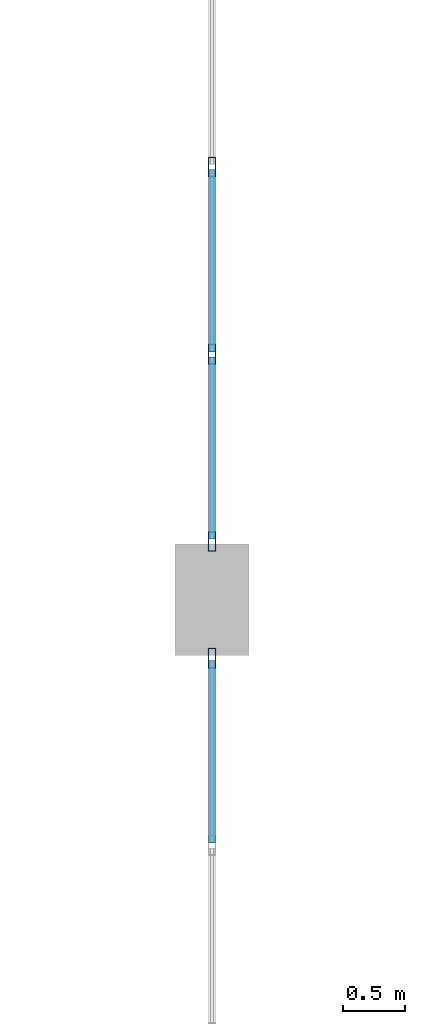
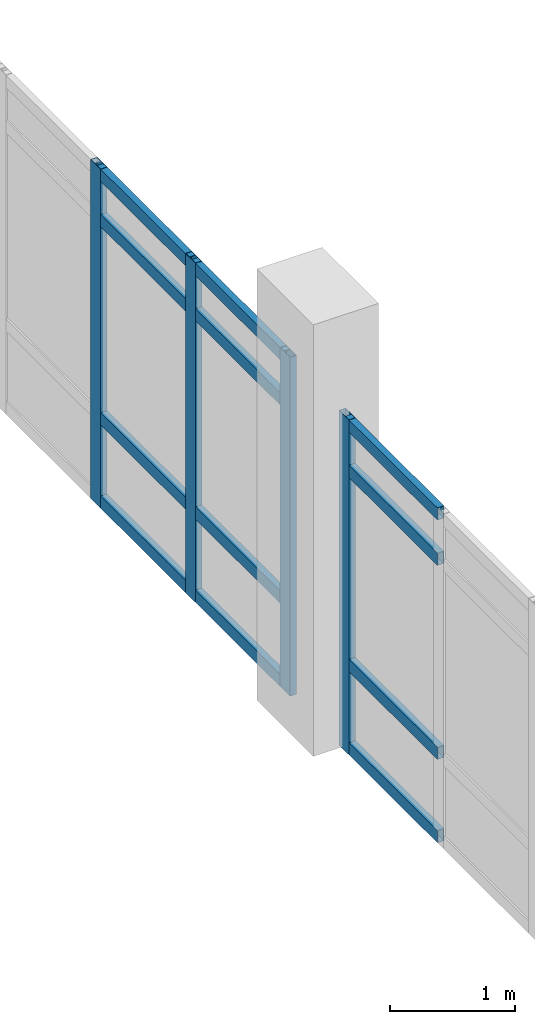
# One storey, part 21 of 111: 16 members, 2 elements without a shape of their own.
"""IFC4 building model written with IfcOpenShell, lengths in metres."""

import ifcopenshell
import ifcopenshell.guid

model = None  # the IFC model being written
_history = None  # IfcOwnerHistory: only IFC2X3 demands one
_inside = {}  # id of a spatial element -> (the spatial element, [elements in it])
_under = {}  # id of a project, library or spatial element -> (it, [spatial elements below it])
_declared = {}  # id of a project -> (the project, [libraries it declares])
_typed = {}  # id of a type object -> (the type object, [elements of that type])
_made_of = {}  # id of a material, layer set ... -> (it, [elements and type objects made of it])


def new_model(schema):
    """Start an empty IFC model of exactly this schema.

    Asked for "IFC4X3", IfcOpenShell would pick the latest addendum, in which some entities
    have other attributes; the version numbers below select the first issue.
    IFC2X3 requires an IfcOwnerHistory on every rooted entity: one is made here for all.
    """
    global model, _history
    if schema == "IFC4X3":
        model = ifcopenshell.file(schema_version=(4, 3, 0, 0))
    else:
        model = ifcopenshell.file(schema=schema)
    _inside.clear()
    _under.clear()
    _declared.clear()
    _typed.clear()
    _made_of.clear()
    _history = None
    if model.schema == "IFC2X3":
        org = make("IfcOrganization", Name="unknown")
        user = make(
            "IfcPersonAndOrganization",
            ThePerson=make("IfcPerson", FamilyName="unknown"),
            TheOrganization=org,
        )
        app = make(
            "IfcApplication",
            ApplicationDeveloper=org,
            Version="unknown",
            ApplicationFullName="unknown",
            ApplicationIdentifier="unknown",
        )
        _history = make(
            "IfcOwnerHistory",
            OwningUser=user,
            OwningApplication=app,
            ChangeAction="ADDED",
            CreationDate=0,
        )
    return model


def make(cls, **values):
    """One entity of the class cls with the attributes given. An attribute that is None is left unset."""
    return model.create_entity(
        cls, **{name: value for name, value in values.items() if value is not None}
    )


def rooted(cls, **values):
    """An entity with a GlobalId (a new one), such as an element, a storey or a relation."""
    return make(cls, GlobalId=ifcopenshell.guid.new(), OwnerHistory=_history, **values)


def si_unit(unit_type, name, prefix=None):
    """IfcSIUnit, for example si_unit("LENGTHUNIT", "METRE", prefix="MILLI")."""
    return make("IfcSIUnit", UnitType=unit_type, Prefix=prefix, Name=name)


def assignment(units):
    """IfcUnitAssignment: the units of a project."""
    return None if units is None else make("IfcUnitAssignment", Units=units)


def point(xyz):
    """IfcCartesianPoint."""
    return None if xyz is None else make("IfcCartesianPoint", Coordinates=xyz)


def direction(xyz):
    """IfcDirection."""
    return None if xyz is None else make("IfcDirection", DirectionRatios=xyz)


def frame(location, z_axis=None, x_axis=None):
    """IfcAxis2Placement3D, a coordinate frame: its origin and axes. An axis left out is left unset."""
    return make(
        "IfcAxis2Placement3D",
        Location=point(location),
        Axis=direction(z_axis),
        RefDirection=direction(x_axis),
    )


def frame_2d(location, x_axis=None):
    """IfcAxis2Placement2D, a coordinate frame in the plane: its origin and x axis."""
    return make(
        "IfcAxis2Placement2D", Location=point(location), RefDirection=direction(x_axis)
    )


def origin():
    """The frame at (0, 0, 0) with its axes left unset."""
    return frame((0.0, 0.0, 0.0))


def origin_2d():
    """The frame at (0, 0) in the plane with its x axis left unset."""
    return frame_2d((0.0, 0.0))


def place(relative_to, where):
    """IfcLocalPlacement: puts the frame where relative to a parent placement (None: the world)."""
    return make(
        "IfcLocalPlacement", PlacementRelTo=relative_to, RelativePlacement=where
    )


def context(
    kind, dimensions, precision=None, world=None, true_north=None, identifier=None
):
    """IfcGeometricRepresentationContext, for example the 3D "Model" context."""
    return make(
        "IfcGeometricRepresentationContext",
        ContextIdentifier=identifier,
        ContextType=kind,
        CoordinateSpaceDimension=dimensions,
        Precision=precision,
        WorldCoordinateSystem=world,
        TrueNorth=true_north,
    )


def subcontext(parent, identifier, kind, view, scale=None):
    """IfcGeometricRepresentationSubContext, for example "Body" below "Model"."""
    return make(
        "IfcGeometricRepresentationSubContext",
        ContextIdentifier=identifier,
        ContextType=kind,
        ParentContext=parent,
        TargetScale=scale,
        TargetView=view,
    )


def project(units=None, contexts=None):
    """IfcProject with its units and contexts."""
    return rooted(
        "IfcProject",
        Name="project",
        RepresentationContexts=contexts,
        UnitsInContext=assignment(units),
    )


def spatial(cls, under=None, at=None, **own):
    """A site, building, storey or space (cls), placed at a placement, below another one or the project."""
    s = rooted(cls, ObjectPlacement=at, **own)
    if under is not None:
        _under.setdefault(under.id(), (under, []))[1].append(s)
    return s


def profile(cls, at=None, kind="AREA", **sizes):
    """A parametric profile (cls). Its sizes go by their IFC names, for example OverallWidth=200.0."""
    return make(cls, ProfileType=kind, Position=at, **sizes)


def hollow_rectangle(**sizes):
    """IfcRectangleHollowProfileDef."""
    return profile("IfcRectangleHollowProfileDef", **sizes)


def extrude(swept, where, along, depth):
    """IfcExtrudedAreaSolid: the profile swept, set in the frame where, extruded along a direction by depth."""
    return make(
        "IfcExtrudedAreaSolid",
        SweptArea=swept,
        Position=where,
        ExtrudedDirection=direction(along),
        Depth=depth,
    )


def shape(context_of_items, identifier, shape_type, items):
    """IfcShapeRepresentation: the items that make up one representation, for example the "Body"."""
    return make(
        "IfcShapeRepresentation",
        ContextOfItems=context_of_items,
        RepresentationIdentifier=identifier,
        RepresentationType=shape_type,
        Items=items,
    )


def material(Name=None, Category=None):
    """IfcMaterial."""
    return make("IfcMaterial", Name=Name, Category=Category)


def layer(
    of_material, thickness, ventilated=None, Name=None, Category=None, Priority=None
):
    """IfcMaterialLayer: one layer of a wall or slab, of a material (None: an air gap)."""
    return make(
        "IfcMaterialLayer",
        Material=of_material,
        LayerThickness=thickness,
        IsVentilated=ventilated,
        Name=Name,
        Category=Category,
        Priority=Priority,
    )


def layer_set(layers, Name=None):
    """IfcMaterialLayerSet."""
    return make("IfcMaterialLayerSet", MaterialLayers=layers, LayerSetName=Name)


def material_profile(
    of_material, cross_section, Name=None, Category=None, Priority=None
):
    """IfcMaterialProfile: a cross section and its material."""
    return make(
        "IfcMaterialProfile",
        Name=Name,
        Material=of_material,
        Profile=cross_section,
        Priority=Priority,
        Category=Category,
    )


def profile_set(profiles, Name=None, composite=None):
    """IfcMaterialProfileSet."""
    return make(
        "IfcMaterialProfileSet",
        Name=Name,
        MaterialProfiles=profiles,
        CompositeProfile=composite,
    )


def made_of(thing, what):
    """Note that an element or type object is made of a material, layer set ...; save() writes the relation."""
    if what is not None:
        _made_of.setdefault(what.id(), (what, []))[1].append(thing)
    return thing


def type_object(cls, material=None, **own):
    """A type object (cls), such as IfcWallType, which elements share."""
    return made_of(rooted(cls, **own), material)


def element(
    cls,
    number,
    at=None,
    inside=None,
    cuts=None,
    type_object=None,
    material=None,
    context=None,
    identifier="Body",
    shape_type=None,
    held_by="IfcProductDefinitionShape",
    body=None,
    shapes=None,
    **own,
):
    """One element of the class cls, such as IfcWall. Its Tag is "e" and its number.

    at: its placement. inside: the storey or other place that contains it. cuts: it is an
    opening in that element (IfcRelVoidsElement). A single representation is given by context,
    identifier, shape_type and body (its items); several are given by shapes. held_by: the class
    of the entity that holds the representations. save() writes the other relations.
    """
    e = rooted(cls, Tag="e%d" % number, ObjectPlacement=at, **own)
    if body is not None:
        shapes = [shape(context, identifier, shape_type, body)]
    if shapes is not None:
        e.Representation = make(held_by, Representations=shapes)
    if inside is not None:
        _inside.setdefault(inside.id(), (inside, []))[1].append(e)
    if cuts is not None:
        rooted(
            "IfcRelVoidsElement", RelatingBuildingElement=cuts, RelatedOpeningElement=e
        )
    if type_object is not None:
        _typed.setdefault(type_object.id(), (type_object, []))[1].append(e)
    return made_of(e, material)


def aggregate(whole, parts):
    """IfcRelAggregates: a whole, such as a stair, and the parts it consists of."""
    return rooted("IfcRelAggregates", RelatingObject=whole, RelatedObjects=parts)


def save(model, path):
    """Write the relations noted so far, then the file.

    IfcRelAggregates (storeys below a building ...), IfcRelContainedInSpatialStructure (elements
    in a storey), IfcRelDefinesByType, IfcRelAssociatesMaterial and IfcRelDeclares: one each for
    every whole, place, type object, material and project.
    """
    for whole, parts in _under.values():
        aggregate(whole, parts)
    for where, things in _inside.values():
        rooted(
            "IfcRelContainedInSpatialStructure",
            RelatedElements=things,
            RelatingStructure=where,
        )
    for kind, things in _typed.values():
        rooted("IfcRelDefinesByType", RelatedObjects=things, RelatingType=kind)
    for what, things in _made_of.values():
        rooted("IfcRelAssociatesMaterial", RelatedObjects=things, RelatingMaterial=what)
    for by, libraries in _declared.values():
        rooted("IfcRelDeclares", RelatingContext=by, RelatedDefinitions=libraries)
    model.write(path)


model = new_model("IFC4")

# Units and contexts
model_context = context("Model", 3, precision=1e-05, world=origin(), true_north=direction((0.0, 1.0)))
body_context = subcontext(model_context, "Body", "Model", "MODEL_VIEW")
ifc_project = project(units=[si_unit("LENGTHUNIT", "METRE"), si_unit("AREAUNIT", "SQUARE_METRE"), si_unit("VOLUMEUNIT", "CUBIC_METRE"), si_unit("PLANEANGLEUNIT", "RADIAN"), si_unit("MASSUNIT", "GRAM", prefix="KILO")], contexts=[model_context])

# Site, building, storey
site_placement = place(None, origin())
site = spatial("IfcSite", under=ifc_project, at=site_placement, CompositionType="ELEMENT")
building_placement = place(site_placement, origin())
building = spatial("IfcBuilding", under=site, at=building_placement, Name="Mersad Railyard Sports Hall", CompositionType="ELEMENT")
storey_placement = place(building_placement, frame((0.0, 0.0, 9.0)))
storey = spatial("IfcBuildingStorey", under=building, at=storey_placement, Name="L02", CompositionType="ELEMENT", Elevation=9.0)

# Curtain wall, member
ifc_material = material(Name="Aluminium 6063-T6", Category="aluminium")
ifc_layer_1 = layer(ifc_material, 0.159912109375)
ifc_layer_set_1 = layer_set([ifc_layer_1], Name="Aluminium 6063-T6")
curtain_wall_type_1 = type_object("IfcCurtainWallType", Name="ARC-CW-CW16", PredefinedType="USERDEFINED", material=ifc_layer_set_1)
curtain_wall_1_placement = place(storey_placement, origin())
curtain_wall_1 = element("IfcCurtainWall", 1, at=curtain_wall_1_placement, inside=storey, type_object=curtain_wall_type_1, Name="Curtain wall CW16-0075", ObjectType="CURTAIN WALL", PredefinedType="USERDEFINED")
ifc_material_profile_1 = material_profile(ifc_material, hollow_rectangle(XDim=0.06005859375, YDim=0.159912109375, WallThickness=0.00390625, at=origin_2d()), Name="AL MULLION 60x160x4")
ifc_profile_set_1 = profile_set([ifc_material_profile_1], Name="Aluminium 6063-T6")
member_type_1 = type_object("IfcMemberType", Name="ARC-CW-MUL01", PredefinedType="MULLION", material=ifc_profile_set_1)
member_1_placement = place(storey_placement, frame((131.0, 63.030029296875, -0.02001953125), z_axis=(0.0, 0.0, 1.0), x_axis=(1.0, 0.0, 0.0)))
member_1 = element("IfcMember", 2, at=member_1_placement, type_object=member_type_1, Name="CW16 Mullion 7", PredefinedType="MULLION", context=body_context, shape_type="SweptSolid", body=[
    extrude(hollow_rectangle(XDim=0.06005859375, YDim=0.159912109375, WallThickness=0.00390625, at=origin_2d()), origin(), (0.0, 0.0, 1.0), 3.260009765625),
])

# Curtain wall, members
ifc_layer_2 = layer(ifc_material, 0.159912109375)
ifc_layer_set_2 = layer_set([ifc_layer_2], Name="Aluminium 6063-T6")
curtain_wall_type_2 = type_object("IfcCurtainWallType", Name="ARC-CW-CW17", PredefinedType="USERDEFINED", material=ifc_layer_set_2)
curtain_wall_2_placement = place(storey_placement, origin())
curtain_wall_2 = element("IfcCurtainWall", 3, at=curtain_wall_2_placement, inside=storey, type_object=curtain_wall_type_2, Name="Curtain wall CW17-0077", ObjectType="CURTAIN WALL", PredefinedType="USERDEFINED")
member_2_placement = place(storey_placement, frame((131.0, 63.969970703125, -0.02001953125), z_axis=(0.0, 0.0, 1.0), x_axis=(1.0, 0.0, 0.0)))
member_2 = element("IfcMember", 4, at=member_2_placement, type_object=member_type_1, Name="CW17 Mullion 1", PredefinedType="MULLION", context=body_context, shape_type="SweptSolid", body=[
    extrude(hollow_rectangle(XDim=0.06005859375, YDim=0.159912109375, WallThickness=0.00390625, at=origin_2d()), origin(), (0.0, 0.0, 1.0), 3.300048828125),
])
member_3_placement = place(storey_placement, frame((131.0, 65.47998046875, -0.02001953125), z_axis=(0.0, 0.0, 1.0), x_axis=(1.0, 0.0, 0.0)))
member_3 = element("IfcMember", 5, at=member_3_placement, type_object=member_type_1, Name="CW17 Mullion 2", PredefinedType="MULLION", context=body_context, shape_type="SweptSolid", body=[
    extrude(hollow_rectangle(XDim=0.06005859375, YDim=0.159912109375, WallThickness=0.00390625, at=origin_2d()), origin(), (0.0, 0.0, 1.0), 3.300048828125),
])
member_4_placement = place(storey_placement, frame((131.0, 66.989990234375, -0.02001953125), z_axis=(0.0, 0.0, 1.0), x_axis=(1.0, 0.0, 0.0)))
member_4 = element("IfcMember", 6, at=member_4_placement, type_object=member_type_1, Name="CW17 Mullion 3", PredefinedType="MULLION", context=body_context, shape_type="SweptSolid", body=[
    extrude(hollow_rectangle(XDim=0.06005859375, YDim=0.159912109375, WallThickness=0.00390625, at=origin_2d()), origin(), (0.0, 0.0, 1.0), 3.300048828125),
])

# Member
ifc_material_profile_2 = material_profile(ifc_material, hollow_rectangle(XDim=0.06005859375, YDim=0.1201171875, WallThickness=0.00390625, at=origin_2d()), Name="AL TRANSOM 60x120x4")
ifc_profile_set_2 = profile_set([ifc_material_profile_2], Name="Aluminium 6063-T6")
member_type_2 = type_object("IfcMemberType", Name="ARC-CW-TRN01", PredefinedType="USERDEFINED", material=ifc_profile_set_2)
member_5_placement = place(storey_placement, frame((131.0, 61.5400390625, 0.0400390625), z_axis=(0.0, 1.0, 0.0), x_axis=(-1.0, 0.0, 0.0)))
member_5 = element("IfcMember", 7, at=member_5_placement, type_object=member_type_2, Name="CW16 Transom 1-6", ObjectType="TRANSOM", PredefinedType="USERDEFINED", context=body_context, shape_type="SweptSolid", body=[
    extrude(hollow_rectangle(XDim=0.06005859375, YDim=0.1201171875, WallThickness=0.00390625, at=origin_2d()), origin(), (0.0, 0.0, 1.0), 1.469970703125),
])

member_6_placement = place(storey_placement, frame((131.0, 61.5400390625, 0.85009765625), z_axis=(0.0, 1.0, 0.0), x_axis=(-1.0, 0.0, 0.0)))
member_6 = element("IfcMember", 8, at=member_6_placement, type_object=member_type_2, Name="CW16 Transom 2-6", ObjectType="TRANSOM", PredefinedType="USERDEFINED", context=body_context, shape_type="SweptSolid", body=[
    extrude(hollow_rectangle(XDim=0.06005859375, YDim=0.1201171875, WallThickness=0.00390625, at=origin_2d()), origin(), (0.0, 0.0, 1.0), 1.469970703125),
])

member_7_placement = place(storey_placement, frame((131.0, 61.5400390625, 2.739990234375), z_axis=(0.0, 1.0, 0.0), x_axis=(-1.0, 0.0, 0.0)))
member_7 = element("IfcMember", 9, at=member_7_placement, type_object=member_type_2, Name="CW16 Transom 3-6", ObjectType="TRANSOM", PredefinedType="USERDEFINED", context=body_context, shape_type="SweptSolid", body=[
    extrude(hollow_rectangle(XDim=0.06005859375, YDim=0.1201171875, WallThickness=0.00390625, at=origin_2d()), origin(), (0.0, 0.0, 1.0), 1.469970703125),
])

member_8_placement = place(storey_placement, frame((131.0, 61.5400390625, 3.179931640625), z_axis=(0.0, 1.0, 0.0), x_axis=(-1.0, 0.0, 0.0)))
member_8 = element("IfcMember", 10, at=member_8_placement, type_object=member_type_2, Name="CW16 Transom 4-6", ObjectType="TRANSOM", PredefinedType="USERDEFINED", context=body_context, shape_type="SweptSolid", body=[
    extrude(hollow_rectangle(XDim=0.06005859375, YDim=0.1201171875, WallThickness=0.00390625, at=origin_2d()), origin(), (0.0, 0.0, 1.0), 1.469970703125),
])

aggregate(curtain_wall_1, [member_1, member_5, member_6, member_7, member_8])

member_9_placement = place(storey_placement, frame((131.0, 63.989990234375, 0.0400390625), z_axis=(0.0, 1.0, 0.0), x_axis=(-1.0, 0.0, 0.0)))
member_9 = element("IfcMember", 11, at=member_9_placement, type_object=member_type_2, Name="CW17 Transom 1-1", ObjectType="TRANSOM", PredefinedType="USERDEFINED", context=body_context, shape_type="SweptSolid", body=[
    extrude(hollow_rectangle(XDim=0.06005859375, YDim=0.1201171875, WallThickness=0.00390625, at=origin_2d()), origin(), (0.0, 0.0, 1.0), 1.469970703125),
])

member_10_placement = place(storey_placement, frame((131.0, 65.5, 0.0400390625), z_axis=(0.0, 1.0, 0.0), x_axis=(-1.0, 0.0, 0.0)))
member_10 = element("IfcMember", 12, at=member_10_placement, type_object=member_type_2, Name="CW17 Transom 1-2", ObjectType="TRANSOM", PredefinedType="USERDEFINED", context=body_context, shape_type="SweptSolid", body=[
    extrude(hollow_rectangle(XDim=0.06005859375, YDim=0.1201171875, WallThickness=0.00390625, at=origin_2d()), origin(), (0.0, 0.0, 1.0), 1.469970703125),
])

member_11_placement = place(storey_placement, frame((131.0, 63.989990234375, 0.85009765625), z_axis=(0.0, 1.0, 0.0), x_axis=(-1.0, 0.0, 0.0)))
member_11 = element("IfcMember", 13, at=member_11_placement, type_object=member_type_2, Name="CW17 Transom 2-1", ObjectType="TRANSOM", PredefinedType="USERDEFINED", context=body_context, shape_type="SweptSolid", body=[
    extrude(hollow_rectangle(XDim=0.06005859375, YDim=0.1201171875, WallThickness=0.00390625, at=origin_2d()), origin(), (0.0, 0.0, 1.0), 1.469970703125),
])

member_12_placement = place(storey_placement, frame((131.0, 65.5, 0.85009765625), z_axis=(0.0, 1.0, 0.0), x_axis=(-1.0, 0.0, 0.0)))
member_12 = element("IfcMember", 14, at=member_12_placement, type_object=member_type_2, Name="CW17 Transom 2-2", ObjectType="TRANSOM", PredefinedType="USERDEFINED", context=body_context, shape_type="SweptSolid", body=[
    extrude(hollow_rectangle(XDim=0.06005859375, YDim=0.1201171875, WallThickness=0.00390625, at=origin_2d()), origin(), (0.0, 0.0, 1.0), 1.469970703125),
])

member_13_placement = place(storey_placement, frame((131.0, 63.989990234375, 2.780029296875), z_axis=(0.0, 1.0, 0.0), x_axis=(-1.0, 0.0, 0.0)))
member_13 = element("IfcMember", 15, at=member_13_placement, type_object=member_type_2, Name="CW17 Transom 3-1", ObjectType="TRANSOM", PredefinedType="USERDEFINED", context=body_context, shape_type="SweptSolid", body=[
    extrude(hollow_rectangle(XDim=0.06005859375, YDim=0.1201171875, WallThickness=0.00390625, at=origin_2d()), origin(), (0.0, 0.0, 1.0), 1.469970703125),
])

member_14_placement = place(storey_placement, frame((131.0, 65.5, 2.780029296875), z_axis=(0.0, 1.0, 0.0), x_axis=(-1.0, 0.0, 0.0)))
member_14 = element("IfcMember", 16, at=member_14_placement, type_object=member_type_2, Name="CW17 Transom 3-2", ObjectType="TRANSOM", PredefinedType="USERDEFINED", context=body_context, shape_type="SweptSolid", body=[
    extrude(hollow_rectangle(XDim=0.06005859375, YDim=0.1201171875, WallThickness=0.00390625, at=origin_2d()), origin(), (0.0, 0.0, 1.0), 1.469970703125),
])

member_15_placement = place(storey_placement, frame((131.0, 63.989990234375, 3.219970703125), z_axis=(0.0, 1.0, 0.0), x_axis=(-1.0, 0.0, 0.0)))
member_15 = element("IfcMember", 17, at=member_15_placement, type_object=member_type_2, Name="CW17 Transom 4-1", ObjectType="TRANSOM", PredefinedType="USERDEFINED", context=body_context, shape_type="SweptSolid", body=[
    extrude(hollow_rectangle(XDim=0.06005859375, YDim=0.1201171875, WallThickness=0.00390625, at=origin_2d()), origin(), (0.0, 0.0, 1.0), 1.469970703125),
])

member_16_placement = place(storey_placement, frame((131.0, 65.5, 3.219970703125), z_axis=(0.0, 1.0, 0.0), x_axis=(-1.0, 0.0, 0.0)))
member_16 = element("IfcMember", 18, at=member_16_placement, type_object=member_type_2, Name="CW17 Transom 4-2", ObjectType="TRANSOM", PredefinedType="USERDEFINED", context=body_context, shape_type="SweptSolid", body=[
    extrude(hollow_rectangle(XDim=0.06005859375, YDim=0.1201171875, WallThickness=0.00390625, at=origin_2d()), origin(), (0.0, 0.0, 1.0), 1.469970703125),
])

aggregate(curtain_wall_2, [member_2, member_3, member_4, member_9, member_10, member_11, member_12, member_13, member_14, member_15, member_16])

save(model, "model.ifc")
